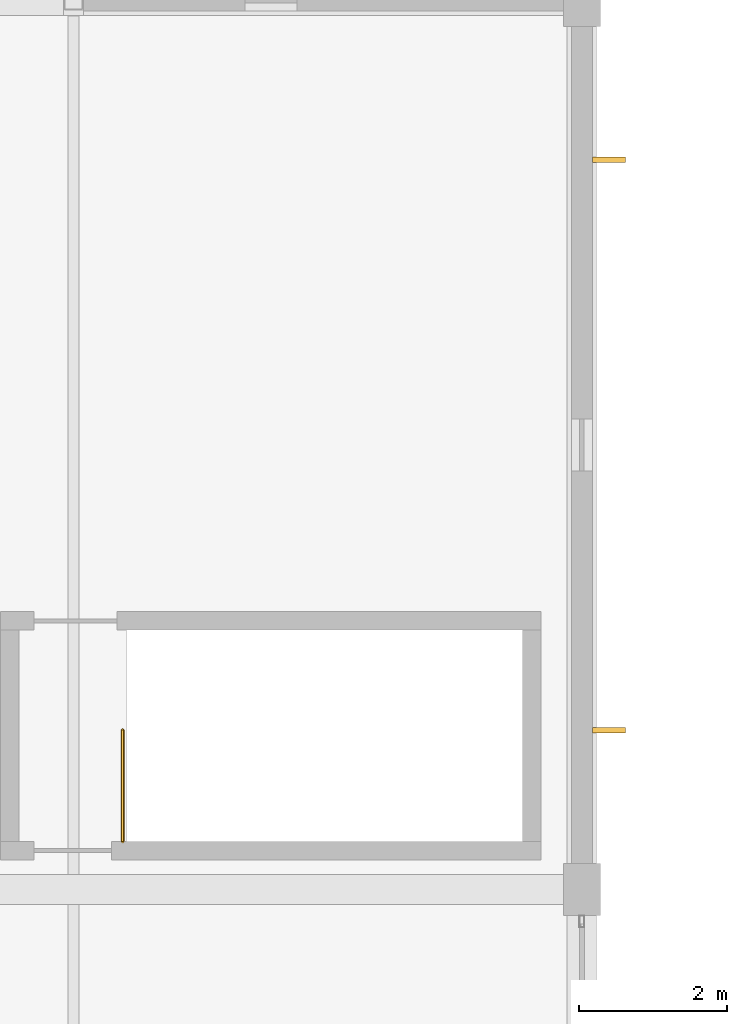
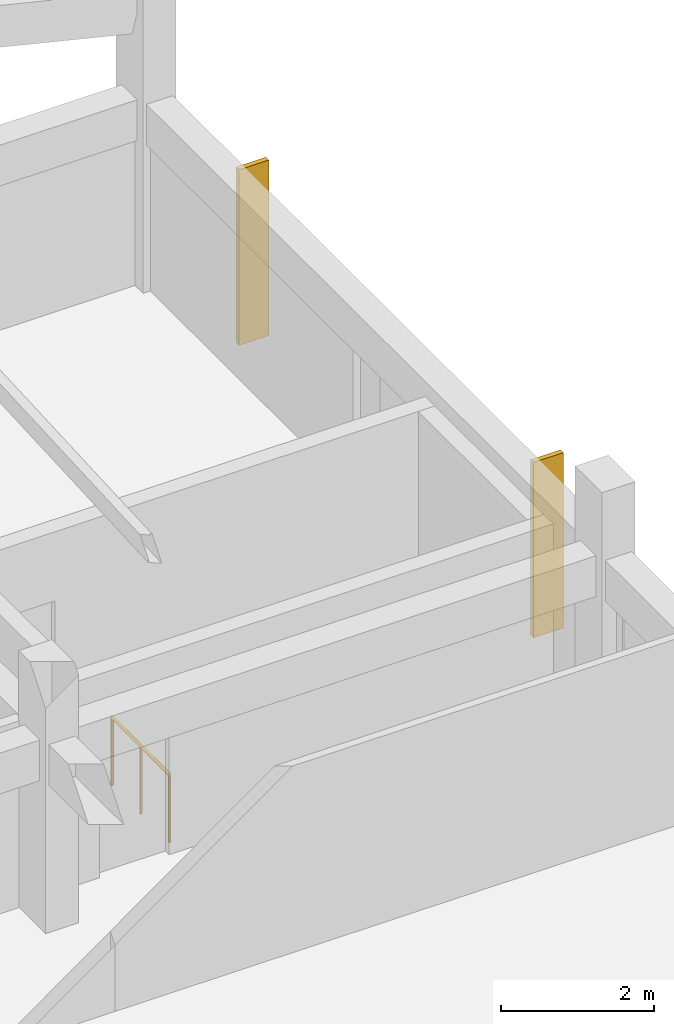
# One storey, part 98 of 127: 2 shading devices, 1 railing.
"""IFC4 building model written with IfcOpenShell, lengths in metres."""

from ifc_helpers import new_model, si_unit, direction, frame, origin, origin_2d, place, context, subcontext, project, spatial, rectangle, circle, extrude, material, layer, layer_set, type_object, element, save


model = new_model("IFC4")

# Units and contexts
model_context = context("Model", 3, precision=1e-05, world=origin(), true_north=direction((0.0, 1.0)))
body_context = subcontext(model_context, "Body", "Model", "MODEL_VIEW")
ifc_project = project(units=[si_unit("LENGTHUNIT", "METRE"), si_unit("AREAUNIT", "SQUARE_METRE"), si_unit("VOLUMEUNIT", "CUBIC_METRE"), si_unit("PLANEANGLEUNIT", "RADIAN"), si_unit("MASSUNIT", "GRAM", prefix="KILO")], contexts=[model_context])

# Site, building, storey
site_placement = place(None, origin())
site = spatial("IfcSite", under=ifc_project, at=site_placement, CompositionType="ELEMENT")
building_placement = place(site_placement, origin())
building = spatial("IfcBuilding", under=site, at=building_placement, Name="Kestramere Prow Commons", CompositionType="ELEMENT")
storey_placement = place(building_placement, frame((0.0, 0.0, 8.39990234375)))
storey = spatial("IfcBuildingStorey", under=building, at=storey_placement, Name="L02", CompositionType="ELEMENT", Elevation=8.39990234375)

# Railing
ifc_material_1 = material(Name="Galvanised Steel S275JR", Category="steel")
railing_type = type_object("IfcRailingType", Name="RL-ST-GR-1100", PredefinedType="GUARDRAIL", material=ifc_material_1)
railing_placement = place(storey_placement, frame((105.800048828125, 12.64990234375, 0.0)))
element("IfcRailing", 1, at=railing_placement, inside=storey, type_object=railing_type, Name="L02 ST-M2 top well guard 1", PredefinedType="GUARDRAIL", context=body_context, shape_type="SweptSolid", body=[
    extrude(circle(Radius=0.02392578125, at=origin_2d()), frame((0.0, 0.0, 1.076171875), z_axis=(0.0, 1.0, 0.0), x_axis=(-1.0, 0.0, 0.0)), (0.0, 0.0, 1.0), 1.5),
    extrude(circle(Radius=0.02099609375, at=origin_2d()), origin(), (0.0, 0.0, 1.0), 1.052001953125),
    extrude(circle(Radius=0.02099609375, at=origin_2d()), frame((0.0, 0.75, 0.0)), (0.0, 0.0, 1.0), 1.052001953125),
    extrude(circle(Radius=0.02099609375, at=origin_2d()), frame((0.0, 1.5, 0.0)), (0.0, 0.0, 1.0), 1.052001953125),
])

# Shading devices
ifc_material_2 = material(Name="Weathered Bronze-Anodised Aluminium", Category="aluminium")
ifc_layer = layer(ifc_material_2, 0.074951171875)
ifc_layer_set = layer_set([ifc_layer], Name="Weathered Bronze-Anodised Aluminium")
shading_device_type = type_object("IfcShadingDeviceType", Name="SHD-VFIN-450", PredefinedType="USERDEFINED", material=ifc_layer_set)
for number, where, z_axis, x_axis, name in (
    (2, (112.364990234375, 14.14990234375, 0.14990234375), (0.0, 0.0, 1.0), (1.0, 0.0, 0.0), "Market L02 E Vertical Fin 2-1"),
    (3, (112.364990234375, 21.85009765625, 0.14990234375), (0.0, 0.0, 1.0), (1.0, 0.0, 0.0), "Market L02 E Vertical Fin 2-2"),
):
    element("IfcShadingDevice", number, at=place(storey_placement, frame(where, z_axis=z_axis, x_axis=x_axis)), inside=storey, type_object=shading_device_type, Name=name, ObjectType="VERTICAL FIN", PredefinedType="USERDEFINED", context=body_context, shape_type="SweptSolid", body=[
        extrude(rectangle(XDim=0.449951171875, YDim=0.074951171875, at=origin_2d()), origin(), (0.0, 0.0, 1.0), 2.800048828125),
    ])

save(model, "model.ifc")
